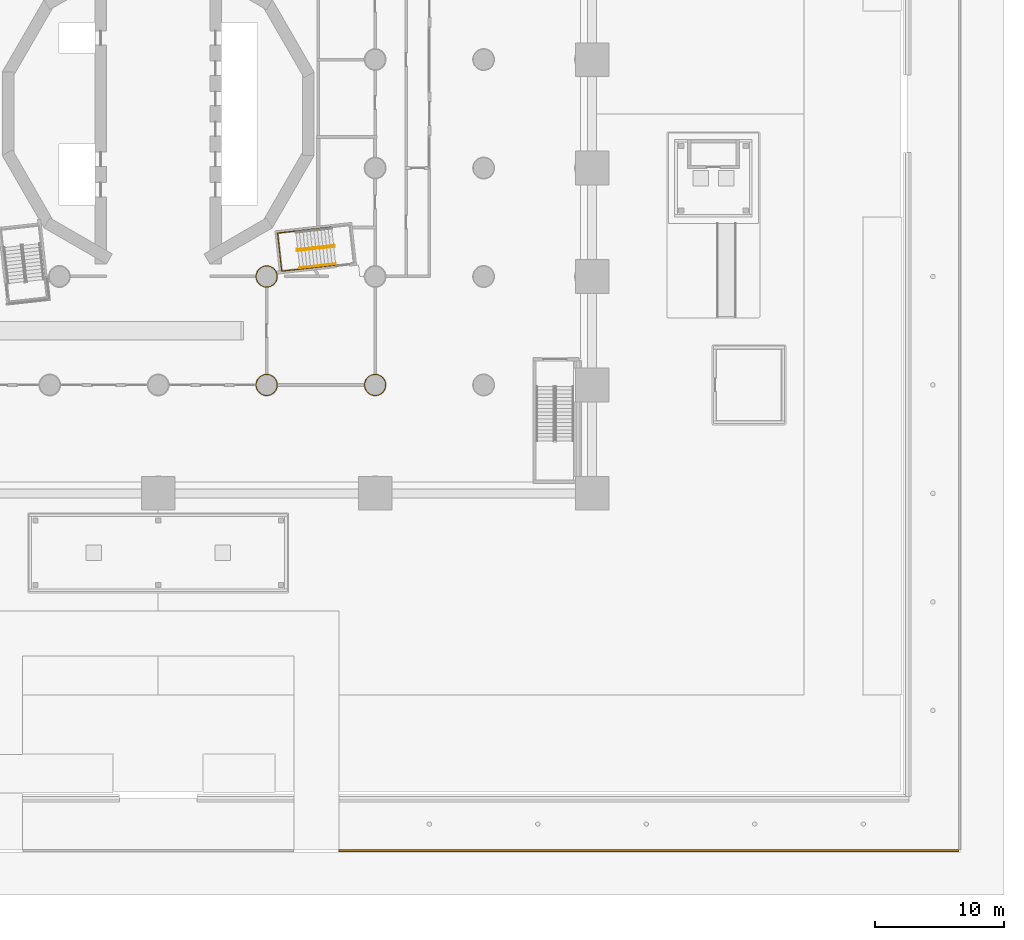
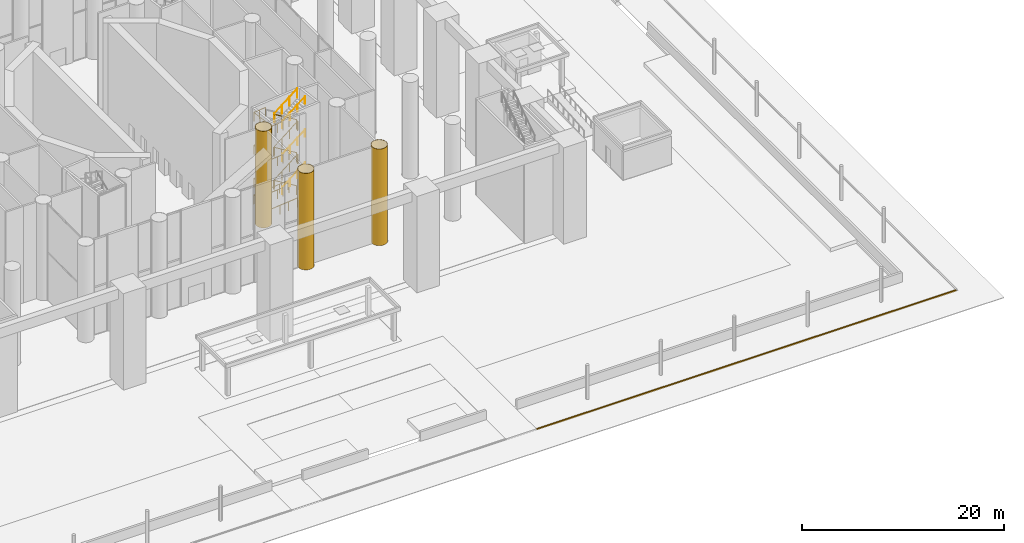
# One storey, part 33 of 52: 13 railings, 4 coverings.
"""IFC4 building model written with IfcOpenShell, lengths in metres."""

from ifc_helpers import new_model, si_unit, direction, frame, origin, origin_2d, place, context, subcontext, project, spatial, polyline, circle, outline, extrude, material, layer, layer_set, type_object, element, save


model = new_model("IFC4")

# Units and contexts
model_context = context("Model", 3, precision=1e-05, world=origin(), true_north=direction((0.0, 1.0)))
body_context = subcontext(model_context, "Body", "Model", "MODEL_VIEW")
ifc_project = project(units=[si_unit("LENGTHUNIT", "METRE"), si_unit("AREAUNIT", "SQUARE_METRE"), si_unit("VOLUMEUNIT", "CUBIC_METRE"), si_unit("PLANEANGLEUNIT", "RADIAN"), si_unit("MASSUNIT", "GRAM", prefix="KILO")], contexts=[model_context])

# Site, building, storey
site_placement = place(None, origin())
site = spatial("IfcSite", under=ifc_project, at=site_placement, CompositionType="ELEMENT")
building_placement = place(site_placement, origin())
building = spatial("IfcBuilding", under=site, at=building_placement, Name="Cantera Rosa Tower", CompositionType="ELEMENT")
storey_placement = place(building_placement, origin())
storey = spatial("IfcBuildingStorey", under=building, at=storey_placement, Name="L00", CompositionType="ELEMENT", Elevation=0.0)

# Coverings
ifc_material_1 = material(Name="Plaster")
ifc_layer_1 = layer(ifc_material_1, 0.030029296875)
ifc_layer_set_1 = layer_set([ifc_layer_1], Name="Column casing 30")
covering_type_1 = type_object("IfcCoveringType", Name="Column casing 30", PredefinedType="CLADDING", material=ifc_layer_set_1)
covering_1_placement = place(storey_placement, origin())
element("IfcCovering", 1, at=covering_1_placement, inside=storey, type_object=covering_type_1, Name="Column casing L00-013", PredefinedType="CLADDING", context=body_context, shape_type="SweptSolid", body=[
    extrude(outline(polyline([(9.22607421875, -21.081298828125), (9.22998046875, -21.0), (9.22607421875, -20.918701171875), (9.214111328125, -20.838134765625), (9.1943359375, -20.759033203125), (9.166748046875, -20.682373046875), (9.132080078125, -20.608642578125), (9.090087890625, -20.538818359375), (9.04150390625, -20.473388671875), (8.98681640625, -20.4130859375), (8.926513671875, -20.3583984375), (8.861083984375, -20.309814453125), (8.791259765625, -20.26806640625), (8.717529296875, -20.233154296875), (8.640869140625, -20.205810546875), (8.56201171875, -20.185791015625), (8.4814453125, -20.174072265625), (8.39990234375, -20.169921875), (8.318603515625, -20.174072265625), (8.238037109375, -20.185791015625), (8.1591796875, -20.205810546875), (8.08251953125, -20.233154296875), (8.0087890625, -20.26806640625), (7.93896484375, -20.309814453125), (7.87353515625, -20.3583984375), (7.81298828125, -20.4130859375), (7.75830078125, -20.473388671875), (7.7099609375, -20.538818359375), (7.66796875, -20.608642578125), (7.63330078125, -20.682373046875), (7.605712890625, -20.759033203125), (7.5859375, -20.838134765625), (7.573974609375, -20.918701171875), (7.570068359375, -21.0), (7.573974609375, -21.081298828125), (7.5859375, -21.161865234375), (7.605712890625, -21.240966796875), (7.63330078125, -21.317626953125), (7.66796875, -21.391357421875), (7.7099609375, -21.461181640625), (7.75830078125, -21.526611328125), (7.81298828125, -21.5869140625), (7.87353515625, -21.6416015625), (7.93896484375, -21.690185546875), (8.0087890625, -21.73193359375), (8.08251953125, -21.766845703125), (8.1591796875, -21.794189453125), (8.238037109375, -21.814208984375), (8.318603515625, -21.825927734375), (8.39990234375, -21.830078125), (8.4814453125, -21.825927734375), (8.56201171875, -21.814208984375), (8.640869140625, -21.794189453125), (8.717529296875, -21.766845703125), (8.791259765625, -21.73193359375), (8.861083984375, -21.690185546875), (8.926513671875, -21.6416015625), (8.98681640625, -21.5869140625), (9.04150390625, -21.526611328125), (9.090087890625, -21.461181640625), (9.132080078125, -21.391357421875), (9.166748046875, -21.317626953125), (9.1943359375, -21.240966796875), (9.214111328125, -21.161865234375), (9.22607421875, -21.081298828125)]), holes=[polyline([(9.196044921875, -20.921630859375), (9.1845703125, -20.843994140625), (9.16552734375, -20.767822265625), (9.13916015625, -20.69384765625), (9.10546875, -20.622802734375), (9.065185546875, -20.555419921875), (9.018310546875, -20.492431640625), (8.9658203125, -20.434326171875), (8.907470703125, -20.381591796875), (8.844482421875, -20.334716796875), (8.777099609375, -20.29443359375), (8.7060546875, -20.260986328125), (8.632080078125, -20.234375), (8.55615234375, -20.21533203125), (8.478515625, -20.203857421875), (8.39990234375, -20.199951171875), (8.321533203125, -20.203857421875), (8.243896484375, -20.21533203125), (8.167724609375, -20.234375), (8.093994140625, -20.260986328125), (8.02294921875, -20.29443359375), (7.95556640625, -20.334716796875), (7.892578125, -20.381591796875), (7.834228515625, -20.434326171875), (7.781494140625, -20.492431640625), (7.73486328125, -20.555419921875), (7.694580078125, -20.622802734375), (7.660888671875, -20.69384765625), (7.634521484375, -20.767822265625), (7.615478515625, -20.843994140625), (7.60400390625, -20.921630859375), (7.60009765625, -21.0), (7.60400390625, -21.078369140625), (7.615478515625, -21.156005859375), (7.634521484375, -21.232177734375), (7.660888671875, -21.30615234375), (7.694580078125, -21.377197265625), (7.73486328125, -21.444580078125), (7.781494140625, -21.507568359375), (7.834228515625, -21.565673828125), (7.892578125, -21.618408203125), (7.95556640625, -21.665283203125), (8.02294921875, -21.70556640625), (8.093994140625, -21.739013671875), (8.167724609375, -21.765625), (8.243896484375, -21.78466796875), (8.321533203125, -21.796142578125), (8.39990234375, -21.800048828125), (8.478515625, -21.796142578125), (8.55615234375, -21.78466796875), (8.632080078125, -21.765625), (8.7060546875, -21.739013671875), (8.777099609375, -21.70556640625), (8.844482421875, -21.665283203125), (8.907470703125, -21.618408203125), (8.9658203125, -21.565673828125), (9.018310546875, -21.507568359375), (9.065185546875, -21.444580078125), (9.10546875, -21.377197265625), (9.13916015625, -21.30615234375), (9.16552734375, -21.232177734375), (9.1845703125, -21.156005859375), (9.196044921875, -21.078369140625), (9.199951171875, -21.0), (9.196044921875, -20.921630859375)])]), origin(), (0.0, 0.0, 1.0), 11.699951171875),
])
covering_2_placement = place(storey_placement, origin())
element("IfcCovering", 2, at=covering_2_placement, inside=storey, type_object=covering_type_1, Name="Column casing L00-014", PredefinedType="CLADDING", context=body_context, shape_type="SweptSolid", body=[
    extrude(outline(polyline([(9.22607421875, -12.681396484375), (9.22998046875, -12.60009765625), (9.22607421875, -12.5185546875), (9.214111328125, -12.43798828125), (9.1943359375, -12.359130859375), (9.166748046875, -12.282470703125), (9.132080078125, -12.208740234375), (9.090087890625, -12.138916015625), (9.04150390625, -12.073486328125), (8.98681640625, -12.01318359375), (8.926513671875, -11.95849609375), (8.861083984375, -11.909912109375), (8.791259765625, -11.867919921875), (8.717529296875, -11.833251953125), (8.640869140625, -11.8056640625), (8.56201171875, -11.785888671875), (8.4814453125, -11.77392578125), (8.39990234375, -11.77001953125), (8.318603515625, -11.77392578125), (8.238037109375, -11.785888671875), (8.1591796875, -11.8056640625), (8.08251953125, -11.833251953125), (8.0087890625, -11.867919921875), (7.93896484375, -11.909912109375), (7.87353515625, -11.95849609375), (7.81298828125, -12.01318359375), (7.75830078125, -12.073486328125), (7.7099609375, -12.138916015625), (7.66796875, -12.208740234375), (7.63330078125, -12.282470703125), (7.605712890625, -12.359130859375), (7.5859375, -12.43798828125), (7.573974609375, -12.5185546875), (7.570068359375, -12.60009765625), (7.573974609375, -12.681396484375), (7.5859375, -12.761962890625), (7.605712890625, -12.8408203125), (7.63330078125, -12.91748046875), (7.66796875, -12.9912109375), (7.7099609375, -13.06103515625), (7.75830078125, -13.12646484375), (7.81298828125, -13.18701171875), (7.87353515625, -13.24169921875), (7.93896484375, -13.2900390625), (8.0087890625, -13.33203125), (8.08251953125, -13.36669921875), (8.1591796875, -13.394287109375), (8.238037109375, -13.4140625), (8.318603515625, -13.426025390625), (8.39990234375, -13.429931640625), (8.4814453125, -13.426025390625), (8.56201171875, -13.4140625), (8.640869140625, -13.394287109375), (8.717529296875, -13.36669921875), (8.791259765625, -13.33203125), (8.861083984375, -13.2900390625), (8.926513671875, -13.24169921875), (8.98681640625, -13.18701171875), (9.04150390625, -13.12646484375), (9.090087890625, -13.06103515625), (9.132080078125, -12.9912109375), (9.166748046875, -12.91748046875), (9.1943359375, -12.8408203125), (9.214111328125, -12.761962890625), (9.22607421875, -12.681396484375)]), holes=[polyline([(9.196044921875, -12.521484375), (9.1845703125, -12.44384765625), (9.16552734375, -12.367919921875), (9.13916015625, -12.2939453125), (9.10546875, -12.222900390625), (9.065185546875, -12.155517578125), (9.018310546875, -12.092529296875), (8.9658203125, -12.0341796875), (8.907470703125, -11.981689453125), (8.844482421875, -11.934814453125), (8.777099609375, -11.89453125), (8.7060546875, -11.86083984375), (8.632080078125, -11.83447265625), (8.55615234375, -11.8154296875), (8.478515625, -11.803955078125), (8.39990234375, -11.800048828125), (8.321533203125, -11.803955078125), (8.243896484375, -11.8154296875), (8.167724609375, -11.83447265625), (8.093994140625, -11.86083984375), (8.02294921875, -11.89453125), (7.95556640625, -11.934814453125), (7.892578125, -11.981689453125), (7.834228515625, -12.0341796875), (7.781494140625, -12.092529296875), (7.73486328125, -12.155517578125), (7.694580078125, -12.222900390625), (7.660888671875, -12.2939453125), (7.634521484375, -12.367919921875), (7.615478515625, -12.44384765625), (7.60400390625, -12.521484375), (7.60009765625, -12.60009765625), (7.60400390625, -12.678466796875), (7.615478515625, -12.756103515625), (7.634521484375, -12.832275390625), (7.660888671875, -12.906005859375), (7.694580078125, -12.97705078125), (7.73486328125, -13.04443359375), (7.781494140625, -13.107421875), (7.834228515625, -13.165771484375), (7.892578125, -13.218505859375), (7.95556640625, -13.26513671875), (8.02294921875, -13.305419921875), (8.093994140625, -13.339111328125), (8.167724609375, -13.365478515625), (8.243896484375, -13.384521484375), (8.321533203125, -13.39599609375), (8.39990234375, -13.39990234375), (8.478515625, -13.39599609375), (8.55615234375, -13.384521484375), (8.632080078125, -13.365478515625), (8.7060546875, -13.339111328125), (8.777099609375, -13.305419921875), (8.844482421875, -13.26513671875), (8.907470703125, -13.218505859375), (8.9658203125, -13.165771484375), (9.018310546875, -13.107421875), (9.065185546875, -13.04443359375), (9.10546875, -12.97705078125), (9.13916015625, -12.906005859375), (9.16552734375, -12.832275390625), (9.1845703125, -12.756103515625), (9.196044921875, -12.678466796875), (9.199951171875, -12.60009765625), (9.196044921875, -12.521484375)])]), origin(), (0.0, 0.0, 1.0), 11.699951171875),
])
covering_3_placement = place(storey_placement, origin())
element("IfcCovering", 3, at=covering_3_placement, inside=storey, type_object=covering_type_1, Name="Column casing L00-017", PredefinedType="CLADDING", context=body_context, shape_type="SweptSolid", body=[
    extrude(outline(polyline([(17.6259765625, -21.081298828125), (17.6298828125, -21.0), (17.6259765625, -20.918701171875), (17.614013671875, -20.838134765625), (17.59423828125, -20.759033203125), (17.56689453125, -20.682373046875), (17.531982421875, -20.608642578125), (17.489990234375, -20.538818359375), (17.441650390625, -20.473388671875), (17.386962890625, -20.4130859375), (17.326416015625, -20.3583984375), (17.260986328125, -20.309814453125), (17.19140625, -20.26806640625), (17.11767578125, -20.233154296875), (17.041015625, -20.205810546875), (16.9619140625, -20.185791015625), (16.88134765625, -20.174072265625), (16.800048828125, -20.169921875), (16.718505859375, -20.174072265625), (16.63818359375, -20.185791015625), (16.55908203125, -20.205810546875), (16.482421875, -20.233154296875), (16.40869140625, -20.26806640625), (16.3388671875, -20.309814453125), (16.2734375, -20.3583984375), (16.213134765625, -20.4130859375), (16.158447265625, -20.473388671875), (16.10986328125, -20.538818359375), (16.068115234375, -20.608642578125), (16.033203125, -20.682373046875), (16.005615234375, -20.759033203125), (15.98583984375, -20.838134765625), (15.97412109375, -20.918701171875), (15.969970703125, -21.0), (15.97412109375, -21.081298828125), (15.98583984375, -21.161865234375), (16.005615234375, -21.240966796875), (16.033203125, -21.317626953125), (16.068115234375, -21.391357421875), (16.10986328125, -21.461181640625), (16.158447265625, -21.526611328125), (16.213134765625, -21.5869140625), (16.2734375, -21.6416015625), (16.3388671875, -21.690185546875), (16.40869140625, -21.73193359375), (16.482421875, -21.766845703125), (16.55908203125, -21.794189453125), (16.63818359375, -21.814208984375), (16.718505859375, -21.825927734375), (16.800048828125, -21.830078125), (16.88134765625, -21.825927734375), (16.9619140625, -21.814208984375), (17.041015625, -21.794189453125), (17.11767578125, -21.766845703125), (17.19140625, -21.73193359375), (17.260986328125, -21.690185546875), (17.326416015625, -21.6416015625), (17.386962890625, -21.5869140625), (17.441650390625, -21.526611328125), (17.489990234375, -21.461181640625), (17.531982421875, -21.391357421875), (17.56689453125, -21.317626953125), (17.59423828125, -21.240966796875), (17.614013671875, -21.161865234375), (17.6259765625, -21.081298828125)]), holes=[polyline([(17.59619140625, -20.921630859375), (17.584716796875, -20.843994140625), (17.565673828125, -20.767822265625), (17.5390625, -20.69384765625), (17.505615234375, -20.622802734375), (17.465087890625, -20.555419921875), (17.41845703125, -20.492431640625), (17.36572265625, -20.434326171875), (17.3076171875, -20.381591796875), (17.244384765625, -20.334716796875), (17.177001953125, -20.29443359375), (17.106201171875, -20.260986328125), (17.0322265625, -20.234375), (16.9560546875, -20.21533203125), (16.87841796875, -20.203857421875), (16.800048828125, -20.199951171875), (16.7216796875, -20.203857421875), (16.643798828125, -20.21533203125), (16.56787109375, -20.234375), (16.493896484375, -20.260986328125), (16.4228515625, -20.29443359375), (16.35546875, -20.334716796875), (16.29248046875, -20.381591796875), (16.234375, -20.434326171875), (16.181640625, -20.492431640625), (16.134765625, -20.555419921875), (16.094482421875, -20.622802734375), (16.060791015625, -20.69384765625), (16.034423828125, -20.767822265625), (16.015380859375, -20.843994140625), (16.00390625, -20.921630859375), (16.0, -21.0), (16.00390625, -21.078369140625), (16.015380859375, -21.156005859375), (16.034423828125, -21.232177734375), (16.060791015625, -21.30615234375), (16.094482421875, -21.377197265625), (16.134765625, -21.444580078125), (16.181640625, -21.507568359375), (16.234375, -21.565673828125), (16.29248046875, -21.618408203125), (16.35546875, -21.665283203125), (16.4228515625, -21.70556640625), (16.493896484375, -21.739013671875), (16.56787109375, -21.765625), (16.643798828125, -21.78466796875), (16.7216796875, -21.796142578125), (16.800048828125, -21.800048828125), (16.87841796875, -21.796142578125), (16.9560546875, -21.78466796875), (17.0322265625, -21.765625), (17.106201171875, -21.739013671875), (17.177001953125, -21.70556640625), (17.244384765625, -21.665283203125), (17.3076171875, -21.618408203125), (17.36572265625, -21.565673828125), (17.41845703125, -21.507568359375), (17.465087890625, -21.444580078125), (17.505615234375, -21.377197265625), (17.5390625, -21.30615234375), (17.565673828125, -21.232177734375), (17.584716796875, -21.156005859375), (17.59619140625, -21.078369140625), (17.60009765625, -21.0), (17.59619140625, -20.921630859375)])]), origin(), (0.0, 0.0, 1.0), 11.699951171875),
])
ifc_material_2 = material(Name="Granite kerb", Category="masonry")
ifc_layer_2 = layer(ifc_material_2, 0.14990234375)
ifc_layer_set_2 = layer_set([ifc_layer_2], Name="Kerb 150x150")
covering_type_2 = type_object("IfcCoveringType", Name="Kerb 150x150", PredefinedType="USERDEFINED", material=ifc_layer_set_2)
covering_4_placement = place(storey_placement, origin())
element("IfcCovering", 4, at=covering_4_placement, inside=storey, type_object=covering_type_2, Name="Kerb S3", ObjectType="KERB", PredefinedType="USERDEFINED", context=body_context, shape_type="SweptSolid", body=[
    extrude(outline(polyline([(62.0, -57.14990234375), (62.0, -57.0), (14.0, -57.0), (14.0, -57.14990234375), (62.0, -57.14990234375)])), origin(), (0.0, 0.0, 1.0), 0.14990234375),
])

# Railings
ifc_material_3 = material(Name="Steel S355J2 (EN 10025-2)", Category="steel")
railing_type_1 = type_object("IfcRailingType", Name="STAIR GUARD 1100", PredefinedType="GUARDRAIL", material=ifc_material_3)
railing_1_placement = place(storey_placement, frame((13.5859375, -10.19677734375, 0.181884765625)))
element("IfcRailing", 5, at=railing_1_placement, inside=storey, type_object=railing_type_1, Name="L00 ST-14 stair guard 1", PredefinedType="GUARDRAIL", context=body_context, shape_type="SweptSolid", body=[
    extrude(circle(Radius=0.02392578125, at=origin_2d()), frame((0.0, 0.0, 1.076171875), z_axis=(-0.833565741067, -0.09251277965, 0.544618711504), x_axis=(0.110307106705, -0.993897551164, 0.0)), (0.0, 0.0, 1.0), 3.33837890625),
    extrude(circle(Radius=0.02392578125, at=origin_2d()), frame((-2.78271484375, -0.308837890625, 2.89404296875), z_axis=(-0.933456941688, 0.358689472963, 0.0), x_axis=(-0.358689472963, -0.933456941688, 0.0)), (0.0, 0.0, 1.0), 0.056396484375),
    extrude(circle(Radius=0.02392578125, at=origin_2d()), frame((-2.83544921875, -0.28857421875, 2.89404296875), z_axis=(0.110610055588, -0.993863881828, 0.0), x_axis=(0.993863881828, 0.110610055588, 0.0)), (0.0, 0.0, 1.0), 0.150146484375),
    extrude(circle(Radius=0.02099609375, at=origin_2d()), origin(), (0.0, 0.0, 1.0), 1.052001953125),
    extrude(circle(Radius=0.02099609375, at=origin_2d()), frame((-0.927490234375, -0.10302734375, 0.60595703125)), (0.0, 0.0, 1.0), 1.052001953125),
    extrude(circle(Radius=0.02099609375, at=origin_2d()), frame((-1.855224609375, -0.205810546875, 1.212158203125)), (0.0, 0.0, 1.0), 1.052001953125),
    extrude(circle(Radius=0.02099609375, at=origin_2d()), frame((-2.78271484375, -0.308837890625, 1.818115234375)), (0.0, 0.0, 1.0), 1.052001953125),
    extrude(circle(Radius=0.02099609375, at=origin_2d()), frame((-2.83544921875, -0.28857421875, 1.818115234375)), (0.0, 0.0, 1.0), 1.052001953125),
    extrude(circle(Radius=0.02099609375, at=origin_2d()), frame((-2.81884765625, -0.437744140625, 1.818115234375)), (0.0, 0.0, 1.0), 1.052001953125),
])
railing_2_placement = place(storey_placement, frame((10.81396484375, -10.60302734375, 2.181884765625)))
element("IfcRailing", 6, at=railing_2_placement, inside=storey, type_object=railing_type_1, Name="L00 ST-14 stair guard 2", PredefinedType="GUARDRAIL", context=body_context, shape_type="SweptSolid", body=[
    extrude(circle(Radius=0.02392578125, at=origin_2d()), frame((0.0, 0.0, 1.076171875), z_axis=(0.833588056777, 0.09250714026, 0.544585512661), x_axis=(-0.110297547524, 0.993898612038, 0.0)), (0.0, 0.0, 1.0), 3.338623046875),
    extrude(circle(Radius=0.02392578125, at=origin_2d()), frame((2.782958984375, 0.308837890625, 2.89404296875), z_axis=(0.931434406233, -0.363909256389, 0.0), x_axis=(0.363909256389, 0.931434406233, 0.0)), (0.0, 0.0, 1.0), 0.056396484375),
    extrude(circle(Radius=0.02392578125, at=origin_2d()), frame((2.83544921875, 0.288330078125, 2.89404296875), z_axis=(-0.110610055588, 0.993863881828, 0.0), x_axis=(-0.993863881828, -0.110610055588, 0.0)), (0.0, 0.0, 1.0), 0.150146484375),
    extrude(circle(Radius=0.02099609375, at=origin_2d()), origin(), (0.0, 0.0, 1.0), 1.052001953125),
    extrude(circle(Radius=0.02099609375, at=origin_2d()), frame((0.927734375, 0.10302734375, 0.60595703125)), (0.0, 0.0, 1.0), 1.052001953125),
    extrude(circle(Radius=0.02099609375, at=origin_2d()), frame((1.855224609375, 0.205810546875, 1.212158203125)), (0.0, 0.0, 1.0), 1.052001953125),
    extrude(circle(Radius=0.02099609375, at=origin_2d()), frame((2.782958984375, 0.308837890625, 1.818115234375)), (0.0, 0.0, 1.0), 1.052001953125),
    extrude(circle(Radius=0.02099609375, at=origin_2d()), frame((2.83544921875, 0.288330078125, 1.818115234375)), (0.0, 0.0, 1.0), 1.052001953125),
    extrude(circle(Radius=0.02099609375, at=origin_2d()), frame((2.81884765625, 0.4375, 1.818115234375)), (0.0, 0.0, 1.0), 1.052001953125),
])
railing_3_placement = place(storey_placement, frame((13.5859375, -10.19677734375, 4.181884765625)))
element("IfcRailing", 7, at=railing_3_placement, inside=storey, type_object=railing_type_1, Name="L00 ST-14 stair guard 3", PredefinedType="GUARDRAIL", context=body_context, shape_type="SweptSolid", body=[
    extrude(circle(Radius=0.02392578125, at=origin_2d()), frame((0.0, 0.0, 1.076171875), z_axis=(-0.833565741067, -0.09251277965, 0.544618711504), x_axis=(0.110307106705, -0.993897551164, 0.0)), (0.0, 0.0, 1.0), 3.33837890625),
    extrude(circle(Radius=0.02392578125, at=origin_2d()), frame((-2.78271484375, -0.308837890625, 2.89404296875), z_axis=(-0.933456941688, 0.358689472963, 0.0), x_axis=(-0.358689472963, -0.933456941688, 0.0)), (0.0, 0.0, 1.0), 0.056396484375),
    extrude(circle(Radius=0.02392578125, at=origin_2d()), frame((-2.83544921875, -0.28857421875, 2.89404296875), z_axis=(0.110610055588, -0.993863881828, 0.0), x_axis=(0.993863881828, 0.110610055588, 0.0)), (0.0, 0.0, 1.0), 0.150146484375),
    extrude(circle(Radius=0.02099609375, at=origin_2d()), origin(), (0.0, 0.0, 1.0), 1.052001953125),
    extrude(circle(Radius=0.02099609375, at=origin_2d()), frame((-0.927490234375, -0.10302734375, 0.60595703125)), (0.0, 0.0, 1.0), 1.052001953125),
    extrude(circle(Radius=0.02099609375, at=origin_2d()), frame((-1.855224609375, -0.205810546875, 1.212158203125)), (0.0, 0.0, 1.0), 1.052001953125),
    extrude(circle(Radius=0.02099609375, at=origin_2d()), frame((-2.78271484375, -0.308837890625, 1.818115234375)), (0.0, 0.0, 1.0), 1.052001953125),
    extrude(circle(Radius=0.02099609375, at=origin_2d()), frame((-2.83544921875, -0.28857421875, 1.818115234375)), (0.0, 0.0, 1.0), 1.052001953125),
    extrude(circle(Radius=0.02099609375, at=origin_2d()), frame((-2.81884765625, -0.437744140625, 1.818115234375)), (0.0, 0.0, 1.0), 1.052001953125),
])
railing_4_placement = place(storey_placement, frame((10.81396484375, -10.60302734375, 6.181884765625)))
element("IfcRailing", 8, at=railing_4_placement, inside=storey, type_object=railing_type_1, Name="L00 ST-14 stair guard 4", PredefinedType="GUARDRAIL", context=body_context, shape_type="SweptSolid", body=[
    extrude(circle(Radius=0.02392578125, at=origin_2d()), frame((0.0, 0.0, 1.076171875), z_axis=(0.833588056777, 0.09250714026, 0.544585512661), x_axis=(-0.110297547524, 0.993898612038, 0.0)), (0.0, 0.0, 1.0), 3.338623046875),
    extrude(circle(Radius=0.02392578125, at=origin_2d()), frame((2.782958984375, 0.308837890625, 2.89404296875), z_axis=(0.931434406233, -0.363909256389, 0.0), x_axis=(0.363909256389, 0.931434406233, 0.0)), (0.0, 0.0, 1.0), 0.056396484375),
    extrude(circle(Radius=0.02392578125, at=origin_2d()), frame((2.83544921875, 0.288330078125, 2.89404296875), z_axis=(-0.110610055588, 0.993863881828, 0.0), x_axis=(-0.993863881828, -0.110610055588, 0.0)), (0.0, 0.0, 1.0), 0.150146484375),
    extrude(circle(Radius=0.02099609375, at=origin_2d()), origin(), (0.0, 0.0, 1.0), 1.052001953125),
    extrude(circle(Radius=0.02099609375, at=origin_2d()), frame((0.927734375, 0.10302734375, 0.60595703125)), (0.0, 0.0, 1.0), 1.052001953125),
    extrude(circle(Radius=0.02099609375, at=origin_2d()), frame((1.855224609375, 0.205810546875, 1.212158203125)), (0.0, 0.0, 1.0), 1.052001953125),
    extrude(circle(Radius=0.02099609375, at=origin_2d()), frame((2.782958984375, 0.308837890625, 1.818115234375)), (0.0, 0.0, 1.0), 1.052001953125),
    extrude(circle(Radius=0.02099609375, at=origin_2d()), frame((2.83544921875, 0.288330078125, 1.818115234375)), (0.0, 0.0, 1.0), 1.052001953125),
    extrude(circle(Radius=0.02099609375, at=origin_2d()), frame((2.81884765625, 0.4375, 1.818115234375)), (0.0, 0.0, 1.0), 1.052001953125),
])
railing_5_placement = place(storey_placement, frame((13.5859375, -10.19677734375, 8.181884765625)))
element("IfcRailing", 9, at=railing_5_placement, inside=storey, type_object=railing_type_1, Name="L00 ST-14 stair guard 5", PredefinedType="GUARDRAIL", context=body_context, shape_type="SweptSolid", body=[
    extrude(circle(Radius=0.02392578125, at=origin_2d()), frame((0.0, 0.0, 1.076171875), z_axis=(-0.833565741067, -0.09251277965, 0.544618711504), x_axis=(0.110307106705, -0.993897551164, 0.0)), (0.0, 0.0, 1.0), 3.33837890625),
    extrude(circle(Radius=0.02392578125, at=origin_2d()), frame((-2.78271484375, -0.308837890625, 2.89404296875), z_axis=(-0.933456941688, 0.358689472963, 0.0), x_axis=(-0.358689472963, -0.933456941688, 0.0)), (0.0, 0.0, 1.0), 0.056396484375),
    extrude(circle(Radius=0.02392578125, at=origin_2d()), frame((-2.83544921875, -0.28857421875, 2.89404296875), z_axis=(0.110610055588, -0.993863881828, 0.0), x_axis=(0.993863881828, 0.110610055588, 0.0)), (0.0, 0.0, 1.0), 0.150146484375),
    extrude(circle(Radius=0.02099609375, at=origin_2d()), origin(), (0.0, 0.0, 1.0), 1.052001953125),
    extrude(circle(Radius=0.02099609375, at=origin_2d()), frame((-0.927490234375, -0.10302734375, 0.60595703125)), (0.0, 0.0, 1.0), 1.052001953125),
    extrude(circle(Radius=0.02099609375, at=origin_2d()), frame((-1.855224609375, -0.205810546875, 1.212158203125)), (0.0, 0.0, 1.0), 1.052001953125),
    extrude(circle(Radius=0.02099609375, at=origin_2d()), frame((-2.78271484375, -0.308837890625, 1.818115234375)), (0.0, 0.0, 1.0), 1.052001953125),
    extrude(circle(Radius=0.02099609375, at=origin_2d()), frame((-2.83544921875, -0.28857421875, 1.818115234375)), (0.0, 0.0, 1.0), 1.052001953125),
    extrude(circle(Radius=0.02099609375, at=origin_2d()), frame((-2.81884765625, -0.437744140625, 1.818115234375)), (0.0, 0.0, 1.0), 1.052001953125),
])
railing_6_placement = place(storey_placement, frame((10.81396484375, -10.60302734375, 10.181884765625)))
element("IfcRailing", 10, at=railing_6_placement, inside=storey, type_object=railing_type_1, Name="L00 ST-14 stair guard 6", PredefinedType="GUARDRAIL", context=body_context, shape_type="SweptSolid", body=[
    extrude(circle(Radius=0.02392578125, at=origin_2d()), frame((0.0, 0.0, 1.076171875), z_axis=(0.833588056777, 0.09250714026, 0.544585512661), x_axis=(-0.110297547524, 0.993898612038, 0.0)), (0.0, 0.0, 1.0), 3.338623046875),
    extrude(circle(Radius=0.02099609375, at=origin_2d()), origin(), (0.0, 0.0, 1.0), 1.052001953125),
    extrude(circle(Radius=0.02099609375, at=origin_2d()), frame((0.927734375, 0.10302734375, 0.60595703125)), (0.0, 0.0, 1.0), 1.052001953125),
    extrude(circle(Radius=0.02099609375, at=origin_2d()), frame((1.855224609375, 0.205810546875, 1.212158203125)), (0.0, 0.0, 1.0), 1.052001953125),
    extrude(circle(Radius=0.02099609375, at=origin_2d()), frame((2.782958984375, 0.308837890625, 1.818115234375)), (0.0, 0.0, 1.0), 1.052001953125),
])
railing_7_placement = place(storey_placement, frame((13.415771484375, -8.77099609375, 0.0)))
element("IfcRailing", 11, at=railing_7_placement, inside=storey, type_object=railing_type_1, Name="L00 ST-14 stair guard 8", PredefinedType="GUARDRAIL", context=body_context, shape_type="SweptSolid", body=[
    extrude(circle(Radius=0.02392578125, at=origin_2d()), frame((0.0, 0.0, 1.076171875), z_axis=(-0.9938957856, -0.110323013767, 0.0), x_axis=(0.110323013767, -0.9938957856, 0.0)), (0.0, 0.0, 1.0), 4.197998046875),
    extrude(circle(Radius=0.02392578125, at=origin_2d()), frame((-4.17236328125, -0.463134765625, 1.076171875), z_axis=(0.110314237986, -0.993896759678, 0.0), x_axis=(0.993896759678, 0.110314237986, 0.0)), (0.0, 0.0, 1.0), 2.969970703125),
    extrude(circle(Radius=0.02392578125, at=origin_2d()), frame((-3.8447265625, -3.4150390625, 1.076171875), z_axis=(0.9938957856, 0.110323013767, 0.0), x_axis=(-0.110323013767, 0.9938957856, 0.0)), (0.0, 0.0, 1.0), 4.197998046875),
    extrude(circle(Radius=0.02099609375, at=origin_2d()), origin(), (0.0, 0.0, 1.0), 1.052001953125),
    extrude(circle(Radius=0.02099609375, at=origin_2d()), frame((-1.04296875, -0.11572265625, 0.0)), (0.0, 0.0, 1.0), 1.052001953125),
    extrude(circle(Radius=0.02099609375, at=origin_2d()), frame((-2.086181640625, -0.2314453125, 0.0)), (0.0, 0.0, 1.0), 1.052001953125),
    extrude(circle(Radius=0.02099609375, at=origin_2d()), frame((-3.12939453125, -0.347412109375, 0.0)), (0.0, 0.0, 1.0), 1.052001953125),
    extrude(circle(Radius=0.02099609375, at=origin_2d()), frame((-4.17236328125, -0.463134765625, 0.0)), (0.0, 0.0, 1.0), 1.052001953125),
    extrude(circle(Radius=0.02099609375, at=origin_2d()), frame((-4.063232421875, -1.447021484375, 0.0)), (0.0, 0.0, 1.0), 1.052001953125),
    extrude(circle(Radius=0.02099609375, at=origin_2d()), frame((-3.953857421875, -2.43115234375, 0.0)), (0.0, 0.0, 1.0), 1.052001953125),
    extrude(circle(Radius=0.02099609375, at=origin_2d()), frame((-3.8447265625, -3.4150390625, 0.0)), (0.0, 0.0, 1.0), 1.052001953125),
    extrude(circle(Radius=0.02099609375, at=origin_2d()), frame((-2.8017578125, -3.29931640625, 0.0)), (0.0, 0.0, 1.0), 1.052001953125),
    extrude(circle(Radius=0.02099609375, at=origin_2d()), frame((-1.758544921875, -3.18359375, 0.0)), (0.0, 0.0, 1.0), 1.052001953125),
    extrude(circle(Radius=0.02099609375, at=origin_2d()), frame((-0.71533203125, -3.067626953125, 0.0)), (0.0, 0.0, 1.0), 1.052001953125),
    extrude(circle(Radius=0.02099609375, at=origin_2d()), frame((0.32763671875, -2.951904296875, 0.0)), (0.0, 0.0, 1.0), 1.052001953125),
])
for number, where, name in (
    (12, (10.65673828125, -9.0771484375, 2.0), "L00 ST-14 stair guard 9"),
    (13, (10.65673828125, -9.0771484375, 6.0), "L00 ST-14 stair guard 11"),
    (14, (10.65673828125, -9.0771484375, 10.0), "L00 ST-14 stair guard 13"),
):
    element("IfcRailing", number, at=place(storey_placement, frame(where)), inside=storey, type_object=railing_type_1, Name=name, PredefinedType="GUARDRAIL", context=body_context, shape_type="SweptSolid", body=[
        extrude(circle(Radius=0.02392578125, at=origin_2d()), frame((0.0, 0.0, 1.076171875), z_axis=(-0.993887921413, -0.110393838913, 0.0), x_axis=(0.110393838913, -0.993887921413, 0.0)), (0.0, 0.0, 1.0), 1.422119140625),
        extrude(circle(Radius=0.02392578125, at=origin_2d()), frame((-1.413330078125, -0.156982421875, 1.076171875), z_axis=(0.110314237986, -0.993896759678, 0.0), x_axis=(0.993896759678, 0.110314237986, 0.0)), (0.0, 0.0, 1.0), 2.969970703125),
        extrude(circle(Radius=0.02392578125, at=origin_2d()), frame((-1.085693359375, -3.10888671875, 1.076171875), z_axis=(0.993887921413, 0.110393838913, 0.0), x_axis=(-0.110393838913, 0.993887921413, 0.0)), (0.0, 0.0, 1.0), 1.422119140625),
        extrude(circle(Radius=0.02099609375, at=origin_2d()), origin(), (0.0, 0.0, 1.0), 1.052001953125),
        extrude(circle(Radius=0.02099609375, at=origin_2d()), frame((-0.70654296875, -0.07861328125, 0.0)), (0.0, 0.0, 1.0), 1.052001953125),
        extrude(circle(Radius=0.02099609375, at=origin_2d()), frame((-1.413330078125, -0.156982421875, 0.0)), (0.0, 0.0, 1.0), 1.052001953125),
        extrude(circle(Radius=0.02099609375, at=origin_2d()), frame((-1.30419921875, -1.140869140625, 0.0)), (0.0, 0.0, 1.0), 1.052001953125),
        extrude(circle(Radius=0.02099609375, at=origin_2d()), frame((-1.19482421875, -2.125, 0.0)), (0.0, 0.0, 1.0), 1.052001953125),
        extrude(circle(Radius=0.02099609375, at=origin_2d()), frame((-1.085693359375, -3.10888671875, 0.0)), (0.0, 0.0, 1.0), 1.052001953125),
        extrude(circle(Radius=0.02099609375, at=origin_2d()), frame((-0.37890625, -3.0302734375, 0.0)), (0.0, 0.0, 1.0), 1.052001953125),
        extrude(circle(Radius=0.02099609375, at=origin_2d()), frame((0.32763671875, -2.951904296875, 0.0)), (0.0, 0.0, 1.0), 1.052001953125),
    ])
ifc_material_4 = material(Name="Steel S355J2 (EN 10025-2)", Category="steel")
railing_type_2 = type_object("IfcRailingType", Name="STAIR HANDRAIL 900", PredefinedType="HANDRAIL", material=ifc_material_4)
for number, where, name in (
    (15, (10.960205078125, -11.921142578125, 2.181884765625), "L00 ST-14 stair handrail 2"),
    (16, (10.960205078125, -11.921142578125, 6.181884765625), "L00 ST-14 stair handrail 4"),
    (17, (10.960205078125, -11.921142578125, 10.181884765625), "L00 ST-14 stair handrail 6"),
):
    element("IfcRailing", number, at=place(storey_placement, frame(where)), inside=storey, type_object=railing_type_2, Name=name, PredefinedType="HANDRAIL", context=body_context, shape_type="SweptSolid", body=[
        extrude(circle(Radius=0.02392578125, at=origin_2d()), frame((0.0, 0.0, 0.8759765625), z_axis=(0.833582415484, 0.092579641899, 0.544581827187), x_axis=(-0.110383677283, 0.99388905004, 0.0)), (0.0, 0.0, 1.0), 3.338623046875),
        extrude(circle(Radius=0.02099609375, at=origin_2d()), origin(), (0.0, 0.0, 1.0), 0.851806640625),
        extrude(circle(Radius=0.02099609375, at=origin_2d()), frame((0.927734375, 0.10302734375, 0.60595703125)), (0.0, 0.0, 1.0), 0.851806640625),
        extrude(circle(Radius=0.02099609375, at=origin_2d()), frame((1.855224609375, 0.2060546875, 1.212158203125)), (0.0, 0.0, 1.0), 0.851806640625),
        extrude(circle(Radius=0.02099609375, at=origin_2d()), frame((2.782958984375, 0.30908203125, 1.818115234375)), (0.0, 0.0, 1.0), 0.851806640625),
    ])

save(model, "model.ifc")
